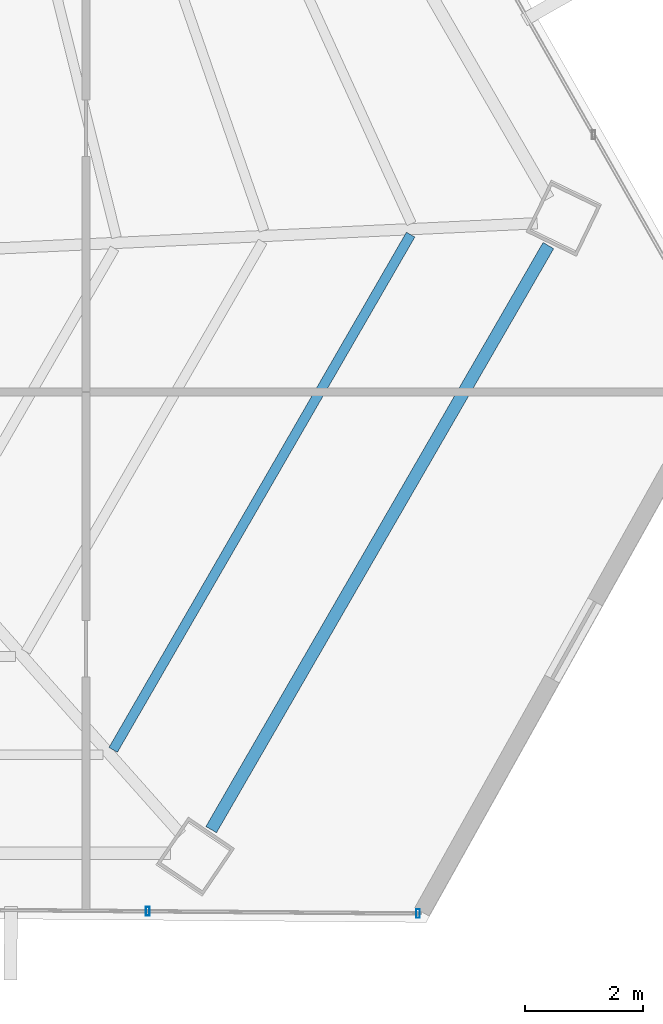
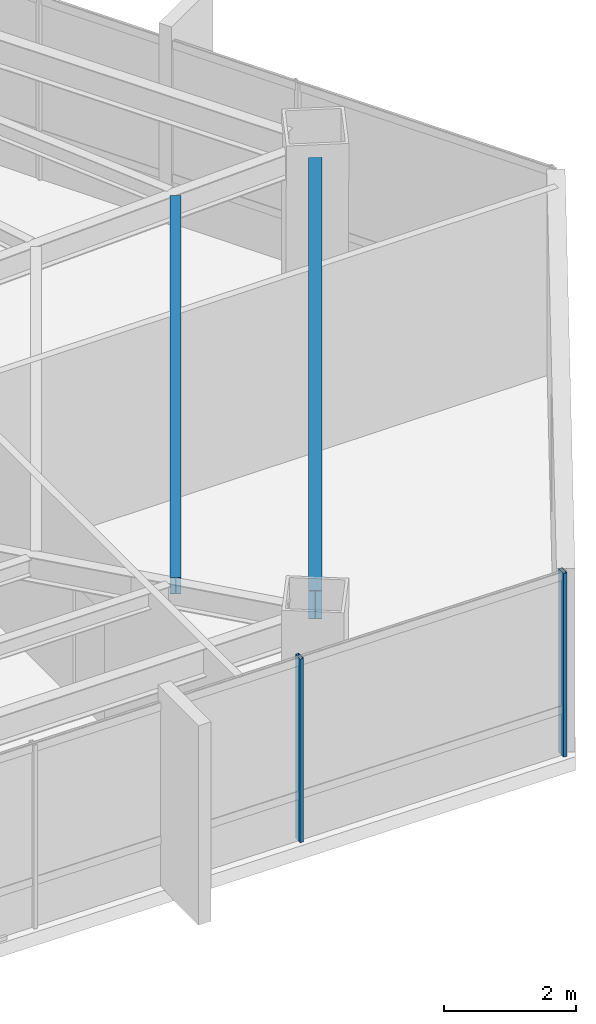
# One storey, part 19 of 38: 2 beams, 2 members, 1 element without a shape of its own.
"""IFC4 building model written with IfcOpenShell, lengths in metres."""

from ifc_helpers import new_model, si_unit, direction, frame, origin, origin_2d, place, context, subcontext, project, spatial, hollow_rectangle, i_section, extrude, source, transform, mapped, material, material_profile, profile_set, type_object, type_shapes, element, aggregate, save


model = new_model("IFC4")

# Units and contexts
model_context = context("Model", 3, precision=1e-05, world=origin(), true_north=direction((0.0, 1.0)))
body_context = subcontext(model_context, "Body", "Model", "MODEL_VIEW")
ifc_project = project(units=[si_unit("LENGTHUNIT", "METRE"), si_unit("AREAUNIT", "SQUARE_METRE"), si_unit("VOLUMEUNIT", "CUBIC_METRE"), si_unit("PLANEANGLEUNIT", "RADIAN"), si_unit("MASSUNIT", "GRAM", prefix="KILO")], contexts=[model_context])

# Site, building, storey
site_placement = place(None, origin())
site = spatial("IfcSite", under=ifc_project, at=site_placement, CompositionType="ELEMENT")
building_placement = place(site_placement, origin())
building = spatial("IfcBuilding", under=site, at=building_placement, Name="Caelisora Broadcast Tower", CompositionType="ELEMENT")
storey_placement = place(building_placement, frame((0.0, 0.0, 154.85009765625)))
storey = spatial("IfcBuildingStorey", under=building, at=storey_placement, Name="L40", CompositionType="ELEMENT", Elevation=154.85009765625)

# Beams
ifc_material_1 = material(Name="Steel Grade 350 (AS/NZS 3679.1)", Category="steel")
ifc_material_profile_1 = material_profile(ifc_material_1, i_section(OverallWidth=0.208984375, OverallDepth=0.532958984375, WebThickness=0.01025390625, FlangeThickness=0.015625, at=origin_2d()), Name="Steel Grade 350 (AS/NZS 3679.1)")
ifc_profile_set_1 = profile_set([ifc_material_profile_1], Name="Steel Grade 350 (AS/NZS 3679.1)")
beam_type_1 = type_object("IfcBeamType", Name="PG05", PredefinedType="BEAM", material=ifc_profile_set_1)
shared_shape_1 = source(origin(), body_context, "Body", "SweptSolid", [
    extrude(i_section(OverallWidth=0.208984375, OverallDepth=0.532958984375, WebThickness=0.01025390625, FlangeThickness=0.015625, at=origin_2d()), origin(), (0.0, 0.0, 1.0), 11.448974609375),
])
type_shapes(beam_type_1, [shared_shape_1])
beam_1_placement = place(storey_placement, frame((54.625244140625, 7.791259765625, 3.13330078125), z_axis=(0.5000104094, 0.866019393831, 0.0), x_axis=(-0.866019393831, 0.5000104094, 0.0)))
element("IfcBeam", 1, at=beam_1_placement, inside=storey, type_object=beam_type_1, Name="L40 beam PG05", PredefinedType="BEAM", context=body_context, shape_type="MappedRepresentation", body=[
    mapped(shared_shape_1, transform((0.0, 0.0, 0.0), scale=1.0)),
])
ifc_material_profile_2 = material_profile(ifc_material_1, i_section(OverallWidth=0.166015625, OverallDepth=0.30712890625, WebThickness=0.006591796875, FlangeThickness=0.01171875, at=origin_2d()), Name="Steel Grade 350 (AS/NZS 3679.1)")
ifc_profile_set_2 = profile_set([ifc_material_profile_2], Name="Steel Grade 350 (AS/NZS 3679.1)")
beam_type_2 = type_object("IfcBeamType", Name="SB03", PredefinedType="JOIST", material=ifc_profile_set_2)
shared_shape_2 = source(origin(), body_context, "Body", "SweptSolid", [
    extrude(i_section(OverallWidth=0.166015625, OverallDepth=0.30712890625, WebThickness=0.006591796875, FlangeThickness=0.01171875, at=origin_2d()), origin(), (0.0, 0.0, 1.0), 10.099365234375),
])
type_shapes(beam_type_2, [shared_shape_2])
beam_2_placement = place(storey_placement, frame((52.961669921875, 9.145263671875, 3.246337890625), z_axis=(0.499989604075, 0.866031405791, 0.0), x_axis=(-0.866031405791, 0.499989604075, 0.0)))
element("IfcBeam", 2, at=beam_2_placement, inside=storey, type_object=beam_type_2, Name="L40 beam SB03", PredefinedType="JOIST", context=body_context, shape_type="MappedRepresentation", body=[
    mapped(shared_shape_2, transform((0.0, 0.0, 0.0), scale=1.0)),
])

# Curtain wall, members
ifc_material_2 = material(Name="Unitised Aluminium and Low-E Glass Curtain Wall", Category="glass")
curtain_wall_type = type_object("IfcCurtainWallType", Name="CW-Z3", PredefinedType="NOTDEFINED", material=ifc_material_2)
curtain_wall_placement = place(storey_placement, origin())
curtain_wall = element("IfcCurtainWall", 3, at=curtain_wall_placement, inside=storey, type_object=curtain_wall_type, Name="L40 curtain wall CW-Z3", PredefinedType="NOTDEFINED")
ifc_material_3 = material(Name="Aluminium 6063-T6 Anodised Terracotta Bronze", Category="aluminium")
ifc_material_profile_3 = material_profile(ifc_material_3, hollow_rectangle(XDim=0.06005859375, YDim=0.14990234375, WallThickness=0.00341796875, at=origin_2d()), Name="Aluminium 6063-T6 Anodised Terracotta Bronze")
ifc_profile_set_3 = profile_set([ifc_material_profile_3], Name="Aluminium 6063-T6 Anodised Terracotta Bronze")
member_type = type_object("IfcMemberType", Name="CWM-03", PredefinedType="MULLION", material=ifc_profile_set_3)
shared_shape_3 = source(origin(), body_context, "Body", "SweptSolid", [
    extrude(hollow_rectangle(XDim=0.06005859375, YDim=0.14990234375, WallThickness=0.00341796875, at=origin_2d()), origin(), (0.0, 0.0, 1.0), 3.39990234375),
])
type_shapes(member_type, [shared_shape_3])
member_1_placement = place(storey_placement, frame((58.136962890625, 6.367431640625, 0.0), z_axis=(0.0, 0.0, 1.0), x_axis=(1.0, 0.0, 0.0)))
member_1 = element("IfcMember", 4, at=member_1_placement, type_object=member_type, Name="L40-CW-B05 mullion #0", PredefinedType="MULLION", context=body_context, shape_type="MappedRepresentation", body=[
    mapped(shared_shape_3, transform((0.0, 0.0, 0.0), scale=1.0)),
])
member_2_placement = place(storey_placement, frame((53.548583984375, 6.4052734375, 0.0), z_axis=(0.0, 0.0, 1.0), x_axis=(1.0, 0.0, 0.0)))
member_2 = element("IfcMember", 5, at=member_2_placement, type_object=member_type, Name="L40-CW-B05 mullion #1", PredefinedType="MULLION", context=body_context, shape_type="MappedRepresentation", body=[
    mapped(shared_shape_3, transform((0.0, 0.0, 0.0), scale=1.0)),
])
aggregate(curtain_wall, [member_1, member_2])

save(model, "model.ifc")
